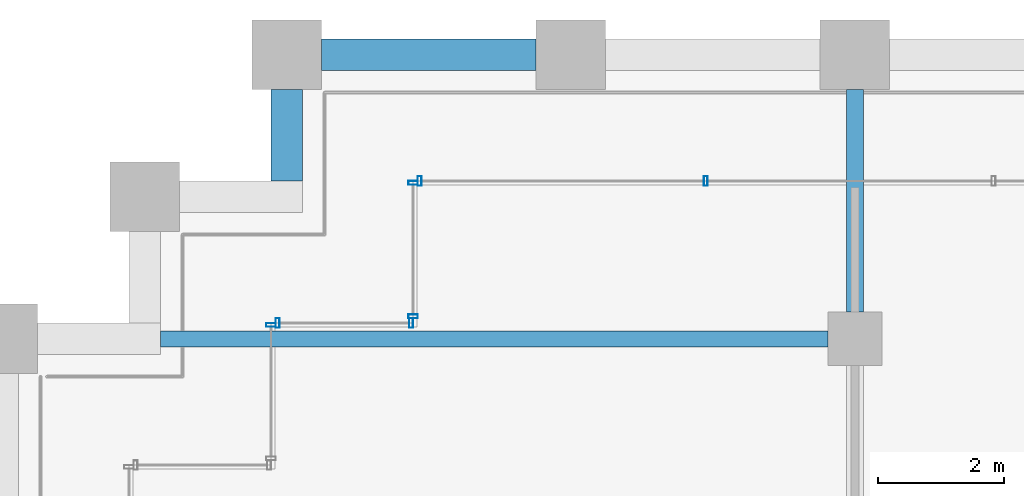
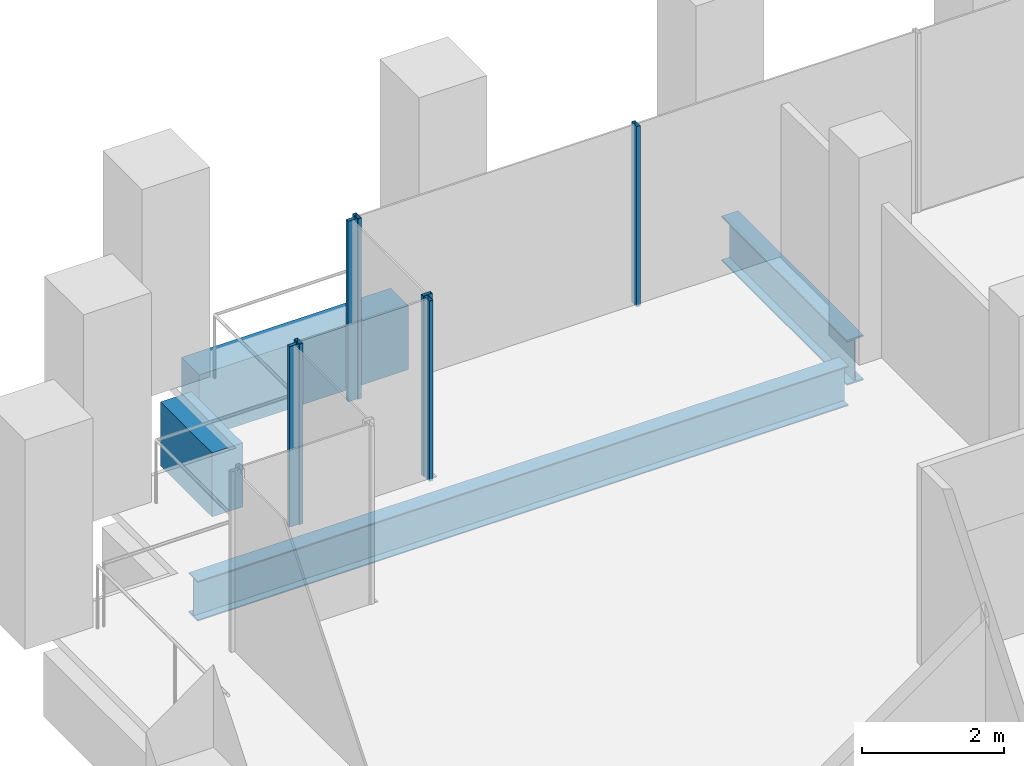
# One storey, part 26 of 56: 7 members, 4 beams, 4 elements without a shape of their own.
"""IFC4 building model written with IfcOpenShell, lengths in metres."""

from ifc_helpers import new_model, si_unit, direction, frame, origin, origin_2d, place, context, subcontext, project, spatial, rectangle, hollow_rectangle, i_section, extrude, material, material_profile, profile_set, type_object, element, aggregate, save


model = new_model("IFC4")

# Units and contexts
model_context = context("Model", 3, precision=1e-05, world=origin(), true_north=direction((0.0, 1.0)))
body_context = subcontext(model_context, "Body", "Model", "MODEL_VIEW")
ifc_project = project(units=[si_unit("LENGTHUNIT", "METRE"), si_unit("AREAUNIT", "SQUARE_METRE"), si_unit("VOLUMEUNIT", "CUBIC_METRE"), si_unit("PLANEANGLEUNIT", "RADIAN"), si_unit("MASSUNIT", "GRAM", prefix="KILO")], contexts=[model_context])

# Site, building, storey
site_placement = place(None, origin())
site = spatial("IfcSite", under=ifc_project, at=site_placement, CompositionType="ELEMENT")
building_placement = place(site_placement, origin())
building = spatial("IfcBuilding", under=site, at=building_placement, Name="Altepetl Exchange Towers", CompositionType="ELEMENT")
storey_placement = place(building_placement, frame((0.0, 0.0, 72.60009765625)))
storey = spatial("IfcBuildingStorey", under=building, at=storey_placement, Name="L17", CompositionType="ELEMENT", Elevation=72.60009765625)

# Beams
ifc_material_1 = material(Name="Steel S355", Category="steel")
ifc_material_profile_1 = material_profile(ifc_material_1, i_section(OverallWidth=0.25390625, OverallDepth=0.68408203125, WebThickness=0.012451171875, FlangeThickness=0.018798828125, at=origin_2d()), Name="W27X94")
ifc_profile_set_1 = profile_set([ifc_material_profile_1], Name="Steel S355")
beam_type_1 = type_object("IfcBeamType", Name="Floor beam W27X94", PredefinedType="BEAM", material=ifc_profile_set_1)
beam_1_placement = place(storey_placement, frame((29.5, 67.5, -0.4921875), z_axis=(1.0, 0.0, 0.0), x_axis=(0.0, 1.0, 0.0)))
element("IfcBeam", 1, at=beam_1_placement, inside=storey, type_object=beam_type_1, Name="bm:A:L17:023", PredefinedType="BEAM", context=body_context, shape_type="SweptSolid", body=[
    extrude(i_section(OverallWidth=0.25390625, OverallDepth=0.68408203125, WebThickness=0.012451171875, FlangeThickness=0.018798828125, at=origin_2d()), origin(), (0.0, 0.0, 1.0), 10.574951171875),
])
ifc_material_profile_2 = material_profile(ifc_material_1, i_section(OverallWidth=0.26806640625, OverallDepth=0.77392578125, WebThickness=0.015380859375, FlangeThickness=0.025390625, at=origin_2d()), Name="W30X132")
ifc_profile_set_2 = profile_set([ifc_material_profile_2], Name="Steel S355")
beam_type_2 = type_object("IfcBeamType", Name="Girder W30X132", PredefinedType="BEAM", material=ifc_profile_set_2)
beam_2_placement = place(storey_placement, frame((40.5, 71.449951171875, -0.537109375), z_axis=(0.0, -1.0, 0.0), x_axis=(1.0, 0.0, 0.0)))
element("IfcBeam", 2, at=beam_2_placement, inside=storey, type_object=beam_type_2, Name="gd:A:L17:003", PredefinedType="BEAM", context=body_context, shape_type="SweptSolid", body=[
    extrude(i_section(OverallWidth=0.26806640625, OverallDepth=0.77392578125, WebThickness=0.015380859375, FlangeThickness=0.025390625, at=origin_2d()), origin(), (0.0, 0.0, 1.0), 3.52490234375),
])

# Curtain wall, members
ifc_material_2 = material(Name="Aluminium 6063-T6 glazing", Category="aluminium")
curtain_wall_type = type_object("IfcCurtainWallType", Name="Loggia glazing system", PredefinedType="NOTDEFINED", material=ifc_material_2)
curtain_wall_1_placement = place(storey_placement, origin())
curtain_wall_1 = element("IfcCurtainWall", 3, at=curtain_wall_1_placement, inside=storey, type_object=curtain_wall_type, Name="CW1 run", PredefinedType="NOTDEFINED")
ifc_material_3 = material(Name="Aluminium 6063-T6", Category="aluminium")
ifc_material_profile_3 = material_profile(ifc_material_3, hollow_rectangle(XDim=0.06005859375, YDim=0.14990234375, WallThickness=0.0029296875, at=origin_2d()), Name="Mullion 60x150 aluminium")
ifc_profile_set_3 = profile_set([ifc_material_profile_3], Name="Aluminium 6063-T6")
member_type = type_object("IfcMemberType", Name="Mullion 60x150 aluminium", PredefinedType="MULLION", material=ifc_profile_set_3)
member_1_placement = place(storey_placement, frame((38.1357421875, 70.0, 0.0), z_axis=(0.0, 0.0, 1.0), x_axis=(-1.0, 0.0, 0.0)))
member_1 = element("IfcMember", 4, at=member_1_placement, type_object=member_type, Name="MU1 mullion", PredefinedType="MULLION", context=body_context, shape_type="SweptSolid", body=[
    extrude(hollow_rectangle(XDim=0.06005859375, YDim=0.14990234375, WallThickness=0.0029296875, at=origin_2d()), origin(), (0.0, 0.0, 1.0), 3.099853515625),
])
member_2_placement = place(storey_placement, frame((33.60498046875, 70.0, 0.0), z_axis=(0.0, 0.0, 1.0), x_axis=(-1.0, 0.0, 0.0)))
member_2 = element("IfcMember", 5, at=member_2_placement, type_object=member_type, Name="MU1 mullion", PredefinedType="MULLION", context=body_context, shape_type="SweptSolid", body=[
    extrude(hollow_rectangle(XDim=0.06005859375, YDim=0.14990234375, WallThickness=0.0029296875, at=origin_2d()), origin(), (0.0, 0.0, 1.0), 3.099853515625),
])
aggregate(curtain_wall_1, [member_1, member_2])

curtain_wall_2_placement = place(storey_placement, origin())
curtain_wall_2 = element("IfcCurtainWall", 6, at=curtain_wall_2_placement, inside=storey, type_object=curtain_wall_type, Name="CW1 run", PredefinedType="NOTDEFINED")
member_3_placement = place(storey_placement, frame((33.5, 69.969970703125, 0.0), z_axis=(0.0, 0.0, 1.0), x_axis=(0.0, -1.0, 0.0)))
member_3 = element("IfcMember", 7, at=member_3_placement, type_object=member_type, Name="MU1 mullion", PredefinedType="MULLION", context=body_context, shape_type="SweptSolid", body=[
    extrude(hollow_rectangle(XDim=0.06005859375, YDim=0.14990234375, WallThickness=0.0029296875, at=origin_2d()), origin(), (0.0, 0.0, 1.0), 3.099853515625),
])
member_4_placement = place(storey_placement, frame((33.5, 67.85498046875, 0.0), z_axis=(0.0, 0.0, 1.0), x_axis=(0.0, -1.0, 0.0)))
member_4 = element("IfcMember", 8, at=member_4_placement, type_object=member_type, Name="MU1 mullion", PredefinedType="MULLION", context=body_context, shape_type="SweptSolid", body=[
    extrude(hollow_rectangle(XDim=0.06005859375, YDim=0.14990234375, WallThickness=0.0029296875, at=origin_2d()), origin(), (0.0, 0.0, 1.0), 3.099853515625),
])
aggregate(curtain_wall_2, [member_3, member_4])

curtain_wall_3_placement = place(storey_placement, origin())
curtain_wall_3 = element("IfcCurtainWall", 9, at=curtain_wall_3_placement, inside=storey, type_object=curtain_wall_type, Name="CW1 run", PredefinedType="NOTDEFINED")
member_5_placement = place(storey_placement, frame((33.469970703125, 67.75, 0.0), z_axis=(0.0, 0.0, 1.0), x_axis=(-1.0, 0.0, 0.0)))
member_5 = element("IfcMember", 10, at=member_5_placement, type_object=member_type, Name="MU1 mullion", PredefinedType="MULLION", context=body_context, shape_type="SweptSolid", body=[
    extrude(hollow_rectangle(XDim=0.06005859375, YDim=0.14990234375, WallThickness=0.0029296875, at=origin_2d()), origin(), (0.0, 0.0, 1.0), 3.099853515625),
])
member_6_placement = place(storey_placement, frame((31.35498046875, 67.75, 0.0), z_axis=(0.0, 0.0, 1.0), x_axis=(-1.0, 0.0, 0.0)))
member_6 = element("IfcMember", 11, at=member_6_placement, type_object=member_type, Name="MU1 mullion", PredefinedType="MULLION", context=body_context, shape_type="SweptSolid", body=[
    extrude(hollow_rectangle(XDim=0.06005859375, YDim=0.14990234375, WallThickness=0.0029296875, at=origin_2d()), origin(), (0.0, 0.0, 1.0), 3.099853515625),
])
aggregate(curtain_wall_3, [member_5, member_6])

# Curtain wall, member
curtain_wall_4_placement = place(storey_placement, origin())
curtain_wall_4 = element("IfcCurtainWall", 12, at=curtain_wall_4_placement, inside=storey, type_object=curtain_wall_type, Name="CW1 run", PredefinedType="NOTDEFINED")
member_7_placement = place(storey_placement, frame((31.25, 67.719970703125, 0.0), z_axis=(0.0, 0.0, 1.0), x_axis=(0.0, -1.0, 0.0)))
member_7 = element("IfcMember", 13, at=member_7_placement, type_object=member_type, Name="MU1 mullion", PredefinedType="MULLION", context=body_context, shape_type="SweptSolid", body=[
    extrude(hollow_rectangle(XDim=0.06005859375, YDim=0.14990234375, WallThickness=0.0029296875, at=origin_2d()), origin(), (0.0, 0.0, 1.0), 3.099853515625),
])
aggregate(curtain_wall_4, [member_7])

# Beams
ifc_material_4 = material(Name="Concrete C50/60 precast with tezontle facing", Category="concrete")
ifc_material_profile_4 = material_profile(ifc_material_4, rectangle(XDim=0.5, YDim=1.10009765625, at=origin_2d()), Name="500 x 1100")
ifc_profile_set_4 = profile_set([ifc_material_profile_4], Name="Concrete C50/60 precast with tezontle facing")
beam_type_3 = type_object("IfcBeamType", Name="Spandrel beam 500x1100 tezontle", PredefinedType="SPANDREL", material=ifc_profile_set_4)
beam_3_placement = place(storey_placement, frame((35.449951171875, 72.0, -0.7001953125), z_axis=(-1.0, 0.0, 0.0), x_axis=(0.0, -1.0, 0.0)))
element("IfcBeam", 14, at=beam_3_placement, inside=storey, type_object=beam_type_3, Name="sp:A:L17:031", PredefinedType="SPANDREL", context=body_context, shape_type="SweptSolid", body=[
    extrude(rectangle(XDim=0.5, YDim=1.10009765625, at=origin_2d()), origin(), (0.0, 0.0, 1.0), 3.39990234375),
])
beam_4_placement = place(storey_placement, frame((31.5, 71.449951171875, -0.7001953125), z_axis=(0.0, -1.0, 0.0), x_axis=(1.0, 0.0, 0.0)))
element("IfcBeam", 15, at=beam_4_placement, inside=storey, type_object=beam_type_3, Name="sp:A:L17:032", PredefinedType="SPANDREL", context=body_context, shape_type="SweptSolid", body=[
    extrude(rectangle(XDim=0.5, YDim=1.10009765625, at=origin_2d()), origin(), (0.0, 0.0, 1.0), 1.449951171875),
])

save(model, "model.ifc")
